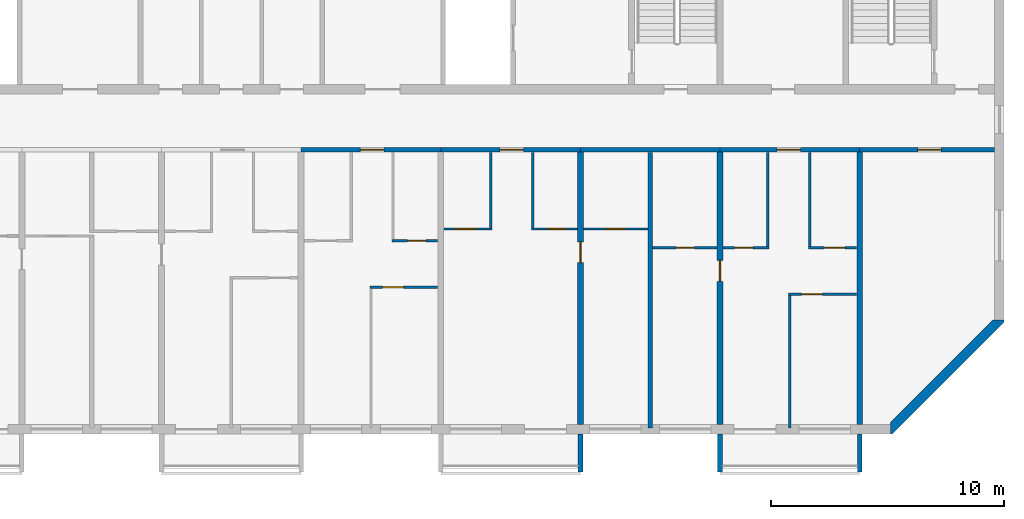
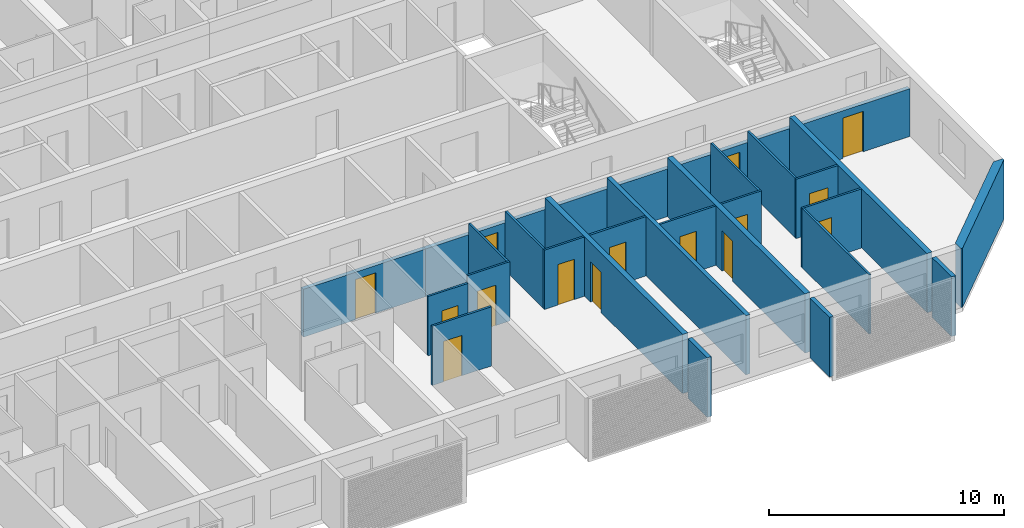
# One storey, part 5 of 27: 27 walls, 15 doors, 15 openings.
"""IFC4 building model written with IfcOpenShell, lengths in metres."""

import ifcopenshell
import ifcopenshell.guid

model = None  # the IFC model being written
_history = None  # IfcOwnerHistory: only IFC2X3 demands one
_inside = {}  # id of a spatial element -> (the spatial element, [elements in it])
_under = {}  # id of a project, library or spatial element -> (it, [spatial elements below it])
_declared = {}  # id of a project -> (the project, [libraries it declares])
_typed = {}  # id of a type object -> (the type object, [elements of that type])
_made_of = {}  # id of a material, layer set ... -> (it, [elements and type objects made of it])


def new_model(schema):
    """Start an empty IFC model of exactly this schema.

    Asked for "IFC4X3", IfcOpenShell would pick the latest addendum, in which some entities
    have other attributes; the version numbers below select the first issue.
    IFC2X3 requires an IfcOwnerHistory on every rooted entity: one is made here for all.
    """
    global model, _history
    if schema == "IFC4X3":
        model = ifcopenshell.file(schema_version=(4, 3, 0, 0))
    else:
        model = ifcopenshell.file(schema=schema)
    _inside.clear()
    _under.clear()
    _declared.clear()
    _typed.clear()
    _made_of.clear()
    _history = None
    if model.schema == "IFC2X3":
        org = make("IfcOrganization", Name="unknown")
        user = make(
            "IfcPersonAndOrganization",
            ThePerson=make("IfcPerson", FamilyName="unknown"),
            TheOrganization=org,
        )
        app = make(
            "IfcApplication",
            ApplicationDeveloper=org,
            Version="unknown",
            ApplicationFullName="unknown",
            ApplicationIdentifier="unknown",
        )
        _history = make(
            "IfcOwnerHistory",
            OwningUser=user,
            OwningApplication=app,
            ChangeAction="ADDED",
            CreationDate=0,
        )
    return model


def make(cls, **values):
    """One entity of the class cls with the attributes given. An attribute that is None is left unset."""
    return model.create_entity(
        cls, **{name: value for name, value in values.items() if value is not None}
    )


def rooted(cls, **values):
    """An entity with a GlobalId (a new one), such as an element, a storey or a relation."""
    return make(cls, GlobalId=ifcopenshell.guid.new(), OwnerHistory=_history, **values)


def si_unit(unit_type, name, prefix=None):
    """IfcSIUnit, for example si_unit("LENGTHUNIT", "METRE", prefix="MILLI")."""
    return make("IfcSIUnit", UnitType=unit_type, Prefix=prefix, Name=name)


def assignment(units):
    """IfcUnitAssignment: the units of a project."""
    return None if units is None else make("IfcUnitAssignment", Units=units)


def point(xyz):
    """IfcCartesianPoint."""
    return None if xyz is None else make("IfcCartesianPoint", Coordinates=xyz)


def direction(xyz):
    """IfcDirection."""
    return None if xyz is None else make("IfcDirection", DirectionRatios=xyz)


def frame(location, z_axis=None, x_axis=None):
    """IfcAxis2Placement3D, a coordinate frame: its origin and axes. An axis left out is left unset."""
    return make(
        "IfcAxis2Placement3D",
        Location=point(location),
        Axis=direction(z_axis),
        RefDirection=direction(x_axis),
    )


def frame_2d(location, x_axis=None):
    """IfcAxis2Placement2D, a coordinate frame in the plane: its origin and x axis."""
    return make(
        "IfcAxis2Placement2D", Location=point(location), RefDirection=direction(x_axis)
    )


def origin():
    """The frame at (0, 0, 0) with its axes left unset."""
    return frame((0.0, 0.0, 0.0))


def place(relative_to, where):
    """IfcLocalPlacement: puts the frame where relative to a parent placement (None: the world)."""
    return make(
        "IfcLocalPlacement", PlacementRelTo=relative_to, RelativePlacement=where
    )


def context(
    kind, dimensions, precision=None, world=None, true_north=None, identifier=None
):
    """IfcGeometricRepresentationContext, for example the 3D "Model" context."""
    return make(
        "IfcGeometricRepresentationContext",
        ContextIdentifier=identifier,
        ContextType=kind,
        CoordinateSpaceDimension=dimensions,
        Precision=precision,
        WorldCoordinateSystem=world,
        TrueNorth=true_north,
    )


def subcontext(parent, identifier, kind, view, scale=None):
    """IfcGeometricRepresentationSubContext, for example "Body" below "Model"."""
    return make(
        "IfcGeometricRepresentationSubContext",
        ContextIdentifier=identifier,
        ContextType=kind,
        ParentContext=parent,
        TargetScale=scale,
        TargetView=view,
    )


def project(units=None, contexts=None):
    """IfcProject with its units and contexts."""
    return rooted(
        "IfcProject",
        Name="project",
        RepresentationContexts=contexts,
        UnitsInContext=assignment(units),
    )


def spatial(cls, under=None, at=None, **own):
    """A site, building, storey or space (cls), placed at a placement, below another one or the project."""
    s = rooted(cls, ObjectPlacement=at, **own)
    if under is not None:
        _under.setdefault(under.id(), (under, []))[1].append(s)
    return s


def polyline(points):
    """IfcPolyline through the points."""
    return make("IfcPolyline", Points=[point(p) for p in points])


def profile(cls, at=None, kind="AREA", **sizes):
    """A parametric profile (cls). Its sizes go by their IFC names, for example OverallWidth=200.0."""
    return make(cls, ProfileType=kind, Position=at, **sizes)


def rectangle(**sizes):
    """IfcRectangleProfileDef."""
    return profile("IfcRectangleProfileDef", **sizes)


def outline(outer, holes=None, kind="AREA"):
    """IfcArbitraryClosedProfileDef: a profile drawn as a closed curve; with holes, ...WithVoids."""
    if holes is None:
        return make("IfcArbitraryClosedProfileDef", ProfileType=kind, OuterCurve=outer)
    return make(
        "IfcArbitraryProfileDefWithVoids",
        ProfileType=kind,
        OuterCurve=outer,
        InnerCurves=holes,
    )


def extrude(swept, where, along, depth):
    """IfcExtrudedAreaSolid: the profile swept, set in the frame where, extruded along a direction by depth."""
    return make(
        "IfcExtrudedAreaSolid",
        SweptArea=swept,
        Position=where,
        ExtrudedDirection=direction(along),
        Depth=depth,
    )


def shape(context_of_items, identifier, shape_type, items):
    """IfcShapeRepresentation: the items that make up one representation, for example the "Body"."""
    return make(
        "IfcShapeRepresentation",
        ContextOfItems=context_of_items,
        RepresentationIdentifier=identifier,
        RepresentationType=shape_type,
        Items=items,
    )


def source(mapping_origin, context_of_items, identifier, shape_type, items):
    """IfcRepresentationMap: a shape defined once, which mapped items show again and again."""
    return make(
        "IfcRepresentationMap",
        MappingOrigin=mapping_origin,
        MappedRepresentation=shape(context_of_items, identifier, shape_type, items),
    )


def transform(
    local_origin,
    x_axis=None,
    y_axis=None,
    z_axis=None,
    scale=None,
    scale2=None,
    scale3=None,
    uniform=True,
):
    """IfcCartesianTransformationOperator3D, or its non-uniform kind. x_axis, y_axis, z_axis: its Axis1, 2, 3."""
    if uniform:
        return make(
            "IfcCartesianTransformationOperator3D",
            Axis1=direction(x_axis),
            Axis2=direction(y_axis),
            LocalOrigin=point(local_origin),
            Scale=scale,
            Axis3=direction(z_axis),
        )
    return make(
        "IfcCartesianTransformationOperator3DnonUniform",
        Axis1=direction(x_axis),
        Axis2=direction(y_axis),
        LocalOrigin=point(local_origin),
        Scale=scale,
        Axis3=direction(z_axis),
        Scale2=scale2,
        Scale3=scale3,
    )


def mapped(mapping_source, mapping_target):
    """IfcMappedItem: shows the shape of a source again, moved by a transform."""
    return make(
        "IfcMappedItem", MappingSource=mapping_source, MappingTarget=mapping_target
    )


def material(Name=None, Category=None):
    """IfcMaterial."""
    return make("IfcMaterial", Name=Name, Category=Category)


def layer(
    of_material, thickness, ventilated=None, Name=None, Category=None, Priority=None
):
    """IfcMaterialLayer: one layer of a wall or slab, of a material (None: an air gap)."""
    return make(
        "IfcMaterialLayer",
        Material=of_material,
        LayerThickness=thickness,
        IsVentilated=ventilated,
        Name=Name,
        Category=Category,
        Priority=Priority,
    )


def layer_set(layers, Name=None):
    """IfcMaterialLayerSet."""
    return make("IfcMaterialLayerSet", MaterialLayers=layers, LayerSetName=Name)


def made_of(thing, what):
    """Note that an element or type object is made of a material, layer set ...; save() writes the relation."""
    if what is not None:
        _made_of.setdefault(what.id(), (what, []))[1].append(thing)
    return thing


def type_object(cls, material=None, **own):
    """A type object (cls), such as IfcWallType, which elements share."""
    return made_of(rooted(cls, **own), material)


def element(
    cls,
    number,
    at=None,
    inside=None,
    cuts=None,
    type_object=None,
    material=None,
    context=None,
    identifier="Body",
    shape_type=None,
    held_by="IfcProductDefinitionShape",
    body=None,
    shapes=None,
    **own,
):
    """One element of the class cls, such as IfcWall. Its Tag is "e" and its number.

    at: its placement. inside: the storey or other place that contains it. cuts: it is an
    opening in that element (IfcRelVoidsElement). A single representation is given by context,
    identifier, shape_type and body (its items); several are given by shapes. held_by: the class
    of the entity that holds the representations. save() writes the other relations.
    """
    e = rooted(cls, Tag="e%d" % number, ObjectPlacement=at, **own)
    if body is not None:
        shapes = [shape(context, identifier, shape_type, body)]
    if shapes is not None:
        e.Representation = make(held_by, Representations=shapes)
    if inside is not None:
        _inside.setdefault(inside.id(), (inside, []))[1].append(e)
    if cuts is not None:
        rooted(
            "IfcRelVoidsElement", RelatingBuildingElement=cuts, RelatedOpeningElement=e
        )
    if type_object is not None:
        _typed.setdefault(type_object.id(), (type_object, []))[1].append(e)
    return made_of(e, material)


def fill(opening, filler):
    """IfcRelFillsElement: the door or window that sits in an opening."""
    return rooted(
        "IfcRelFillsElement",
        RelatingOpeningElement=opening,
        RelatedBuildingElement=filler,
    )


def aggregate(whole, parts):
    """IfcRelAggregates: a whole, such as a stair, and the parts it consists of."""
    return rooted("IfcRelAggregates", RelatingObject=whole, RelatedObjects=parts)


def save(model, path):
    """Write the relations noted so far, then the file.

    IfcRelAggregates (storeys below a building ...), IfcRelContainedInSpatialStructure (elements
    in a storey), IfcRelDefinesByType, IfcRelAssociatesMaterial and IfcRelDeclares: one each for
    every whole, place, type object, material and project.
    """
    for whole, parts in _under.values():
        aggregate(whole, parts)
    for where, things in _inside.values():
        rooted(
            "IfcRelContainedInSpatialStructure",
            RelatedElements=things,
            RelatingStructure=where,
        )
    for kind, things in _typed.values():
        rooted("IfcRelDefinesByType", RelatedObjects=things, RelatingType=kind)
    for what, things in _made_of.values():
        rooted("IfcRelAssociatesMaterial", RelatedObjects=things, RelatingMaterial=what)
    for by, libraries in _declared.values():
        rooted("IfcRelDeclares", RelatingContext=by, RelatedDefinitions=libraries)
    model.write(path)


model = new_model("IFC4")

# Units and contexts
model_context = context("Model", 3, precision=1e-05, world=origin(), true_north=direction((0.0, 1.0)))
body_context = subcontext(model_context, "Body", "Model", "MODEL_VIEW")
ifc_project = project(units=[si_unit("LENGTHUNIT", "METRE"), si_unit("AREAUNIT", "SQUARE_METRE"), si_unit("VOLUMEUNIT", "CUBIC_METRE"), si_unit("PLANEANGLEUNIT", "RADIAN"), si_unit("MASSUNIT", "GRAM", prefix="KILO")], contexts=[model_context])

# Site, building, storey
site_placement = place(None, origin())
site = spatial("IfcSite", under=ifc_project, at=site_placement, CompositionType="ELEMENT")
building_placement = place(site_placement, origin())
building = spatial("IfcBuilding", under=site, at=building_placement, Name="Poui Terraces", CompositionType="ELEMENT")
storey_placement = place(building_placement, frame((0.0, 0.0, 198.300048828125)))
storey = spatial("IfcBuildingStorey", under=building, at=storey_placement, Name="L55", CompositionType="ELEMENT", Elevation=198.300048828125)

# Wall, opening, door
ifc_material_1 = material(Name="Concrete 50 MPa", Category="concrete")
ifc_layer_1 = layer(ifc_material_1, 0.199951171875)
ifc_layer_set_1 = layer_set([ifc_layer_1], Name="Concrete 50 MPa")
wall_type_1 = type_object("IfcWallType", Name="CORRIDOR WALL 200 50MPa", PredefinedType="SHEAR", material=ifc_layer_set_1)
wall_1_placement = place(storey_placement, frame((54.0, 12.0, 0.0), z_axis=(0.0, 0.0, 1.0), x_axis=(1.0, 0.0, 0.0)))
wall_1 = element("IfcWall", 1, at=wall_1_placement, inside=storey, type_object=wall_type_1, Name="CORRIDOR WALL LINE B BAY 7", PredefinedType="SHEAR", context=body_context, shape_type="SweptSolid", body=[
    extrude(rectangle(XDim=6.0, YDim=0.199951171875, at=frame_2d((3.0, 0.0))), origin(), (0.0, 0.0, 1.0), 2.47998046875),
])
opening_1_placement = place(wall_1_placement, frame((2.550048828125, 0.0, 0.0)))
opening_1 = element("IfcOpeningElement", 2, at=opening_1_placement, cuts=wall_1, Name="Opening FD30S", PredefinedType="OPENING", context=body_context, shape_type="SweptSolid", body=[
    extrude(rectangle(XDim=1.0, YDim=2.10009765625, at=frame_2d((0.5, 1.050048828125))), frame((0.0, 0.10986328125, 0.0), z_axis=(0.0, -1.0, 0.0), x_axis=(1.0, 0.0, 0.0)), (0.0, 0.0, 1.0), 0.219970703125),
])
ifc_material_2 = material(Name="Steel fire door", Category="steel")
door_type_1 = type_object("IfcDoorType", Name="FLAT ENTRANCE DOOR 1000 X 2100", OperationType="NOTDEFINED", PredefinedType="DOOR", material=ifc_material_2)
door_1_placement = place(opening_1_placement, frame((1.0, 0.0, 0.0), z_axis=(0.0, 0.0, 1.0), x_axis=(-1.0, 0.0, 0.0)))
door_1 = element("IfcDoor", 3, at=door_1_placement, inside=storey, type_object=door_type_1, Name="FLAT ENTRANCE DOOR 084", OperationType="SINGLE_SWING_LEFT", OverallHeight=2.10009765625, OverallWidth=1.0, PredefinedType="DOOR", context=body_context, shape_type="SweptSolid", body=[
    extrude(rectangle(XDim=1.0, YDim=2.10009765625, at=frame_2d((0.5, 1.050048828125))), frame((0.0, 0.02490234375, 0.0), z_axis=(0.0, -1.0, 0.0), x_axis=(1.0, 0.0, 0.0)), (0.0, 0.0, 1.0), 0.050048828125),
])
fill(opening_1, door_1)

wall_2_placement = place(storey_placement, frame((60.0, 12.0, 0.0), z_axis=(0.0, 0.0, 1.0), x_axis=(1.0, 0.0, 0.0)))
wall_2 = element("IfcWall", 4, at=wall_2_placement, inside=storey, type_object=wall_type_1, Name="CORRIDOR WALL LINE B BAY 8", PredefinedType="SHEAR", context=body_context, shape_type="SweptSolid", body=[
    extrude(rectangle(XDim=6.0, YDim=0.199951171875, at=frame_2d((3.0, 0.0))), origin(), (0.0, 0.0, 1.0), 2.47998046875),
])
opening_2_placement = place(wall_2_placement, frame((2.550048828125, 0.0, 0.0)))
opening_2 = element("IfcOpeningElement", 5, at=opening_2_placement, cuts=wall_2, Name="Opening FD30S", PredefinedType="OPENING", context=body_context, shape_type="SweptSolid", body=[
    extrude(rectangle(XDim=1.0, YDim=2.10009765625, at=frame_2d((0.5, 1.050048828125))), frame((0.0, 0.10986328125, 0.0), z_axis=(0.0, -1.0, 0.0), x_axis=(1.0, 0.0, 0.0)), (0.0, 0.0, 1.0), 0.219970703125),
])
door_2_placement = place(opening_2_placement, frame((1.0, 0.0, 0.0), z_axis=(0.0, 0.0, 1.0), x_axis=(-1.0, 0.0, 0.0)))
door_2 = element("IfcDoor", 6, at=door_2_placement, inside=storey, type_object=door_type_1, Name="FLAT ENTRANCE DOOR 089", OperationType="SINGLE_SWING_LEFT", OverallHeight=2.10009765625, OverallWidth=1.0, PredefinedType="DOOR", context=body_context, shape_type="SweptSolid", body=[
    extrude(rectangle(XDim=1.0, YDim=2.10009765625, at=frame_2d((0.5, 1.050048828125))), frame((0.0, 0.02490234375, 0.0), z_axis=(0.0, -1.0, 0.0), x_axis=(1.0, 0.0, 0.0)), (0.0, 0.0, 1.0), 0.050048828125),
])
fill(opening_2, door_2)

# Wall
wall_3_placement = place(storey_placement, frame((66.0, 12.0, 0.0), z_axis=(0.0, 0.0, 1.0), x_axis=(1.0, 0.0, 0.0)))
element("IfcWall", 7, at=wall_3_placement, inside=storey, type_object=wall_type_1, Name="CORRIDOR WALL LINE B BAY 9", PredefinedType="SHEAR", context=body_context, shape_type="SweptSolid", body=[
    extrude(rectangle(XDim=6.0, YDim=0.199951171875, at=frame_2d((3.0, 0.0))), origin(), (0.0, 0.0, 1.0), 2.47998046875),
])

# Wall, opening, door
wall_4_placement = place(storey_placement, frame((72.0, 12.0, 0.0), z_axis=(0.0, 0.0, 1.0), x_axis=(1.0, 0.0, 0.0)))
wall_4 = element("IfcWall", 8, at=wall_4_placement, inside=storey, type_object=wall_type_1, Name="CORRIDOR WALL LINE B BAY 10", PredefinedType="SHEAR", context=body_context, shape_type="SweptSolid", body=[
    extrude(rectangle(XDim=6.0, YDim=0.199951171875, at=frame_2d((3.0, 0.0))), origin(), (0.0, 0.0, 1.0), 2.47998046875),
])
opening_3_placement = place(wall_4_placement, frame((2.449951171875, 0.0, 0.0)))
opening_3 = element("IfcOpeningElement", 9, at=opening_3_placement, cuts=wall_4, Name="Opening FD30S", PredefinedType="OPENING", context=body_context, shape_type="SweptSolid", body=[
    extrude(rectangle(XDim=1.0, YDim=2.10009765625, at=frame_2d((0.5, 1.050048828125))), frame((0.0, 0.10986328125, 0.0), z_axis=(0.0, -1.0, 0.0), x_axis=(1.0, 0.0, 0.0)), (0.0, 0.0, 1.0), 0.219970703125),
])
door_3_placement = place(opening_3_placement, frame((1.0, 0.0, 0.0), z_axis=(0.0, 0.0, 1.0), x_axis=(-1.0, 0.0, 0.0)))
door_3 = element("IfcDoor", 10, at=door_3_placement, inside=storey, type_object=door_type_1, Name="FLAT ENTRANCE DOOR 095", OperationType="SINGLE_SWING_RIGHT", OverallHeight=2.10009765625, OverallWidth=1.0, PredefinedType="DOOR", context=body_context, shape_type="SweptSolid", body=[
    extrude(rectangle(XDim=1.0, YDim=2.10009765625, at=frame_2d((0.5, 1.050048828125))), frame((0.0, 0.02490234375, 0.0), z_axis=(0.0, -1.0, 0.0), x_axis=(1.0, 0.0, 0.0)), (0.0, 0.0, 1.0), 0.050048828125),
])
fill(opening_3, door_3)

wall_5_placement = place(storey_placement, frame((78.0, 12.0, 0.0), z_axis=(0.0, 0.0, 1.0), x_axis=(1.0, 0.0, 0.0)))
wall_5 = element("IfcWall", 11, at=wall_5_placement, inside=storey, type_object=wall_type_1, Name="CORRIDOR WALL LINE B BAY 11", PredefinedType="SHEAR", context=body_context, shape_type="SweptSolid", body=[
    extrude(rectangle(XDim=5.800048828125, YDim=0.199951171875, at=frame_2d((2.89990234375, 0.0))), origin(), (0.0, 0.0, 1.0), 2.47998046875),
])
opening_4_placement = place(wall_5_placement, frame((2.5, 0.0, 0.0)))
opening_4 = element("IfcOpeningElement", 12, at=opening_4_placement, cuts=wall_5, Name="Opening D100", PredefinedType="OPENING", context=body_context, shape_type="SweptSolid", body=[
    extrude(rectangle(XDim=1.0, YDim=2.10009765625, at=frame_2d((0.5, 1.050048828125))), frame((0.0, 0.10986328125, 0.0), z_axis=(0.0, -1.0, 0.0), x_axis=(1.0, 0.0, 0.0)), (0.0, 0.0, 1.0), 0.219970703125),
])
ifc_material_3 = material(Name="Solid core timber door", Category="wood")
door_type_2 = type_object("IfcDoorType", Name="ACCESSIBLE INTERNAL DOOR 1000 X 2100", OperationType="NOTDEFINED", PredefinedType="DOOR", material=ifc_material_3)
door_4_placement = place(opening_4_placement, frame((1.0, 0.0, 0.0), z_axis=(0.0, 0.0, 1.0), x_axis=(-1.0, 0.0, 0.0)))
door_4 = element("IfcDoor", 13, at=door_4_placement, inside=storey, type_object=door_type_2, Name="ACCESSIBLE INTERNAL DOOR 098", OperationType="SINGLE_SWING_RIGHT", OverallHeight=2.10009765625, OverallWidth=1.0, PredefinedType="DOOR", context=body_context, shape_type="SweptSolid", body=[
    extrude(rectangle(XDim=1.0, YDim=2.10009765625, at=frame_2d((0.5, 1.050048828125))), frame((0.0, 0.02490234375, 0.0), z_axis=(0.0, -1.0, 0.0), x_axis=(1.0, 0.0, 0.0)), (0.0, 0.0, 1.0), 0.050048828125),
])
fill(opening_4, door_4)

ifc_layer_2 = layer(ifc_material_1, 0.25)
ifc_layer_set_2 = layer_set([ifc_layer_2], Name="Concrete 50 MPa")
wall_type_2 = type_object("IfcWallType", Name="CROSS WALL 250 50MPa", PredefinedType="SHEAR", material=ifc_layer_set_2)
wall_6_placement = place(storey_placement, frame((66.0, 0.199951171875, 0.0), z_axis=(0.0, 0.0, 1.0), x_axis=(0.0, 1.0, 0.0)))
wall_6 = element("IfcWall", 14, at=wall_6_placement, inside=storey, type_object=wall_type_2, Name="CROSS WALL LINE 12 SOUTH", PredefinedType="SHEAR", context=body_context, shape_type="SweptSolid", body=[
    extrude(rectangle(XDim=11.699951171875, YDim=0.25, at=frame_2d((5.85009765625, 0.0))), origin(), (0.0, 0.0, 1.0), 3.079833984375),
])
opening_5_placement = place(wall_6_placement, frame((6.949951171875, 0.0, 0.0)))
opening_5 = element("IfcOpeningElement", 15, at=opening_5_placement, cuts=wall_6, Name="Opening D90", PredefinedType="OPENING", context=body_context, shape_type="SweptSolid", body=[
    extrude(rectangle(XDim=0.89990234375, YDim=2.10009765625, at=frame_2d((0.449951171875, 1.050048828125))), frame((0.0, 0.135009765625, 0.0), z_axis=(0.0, -1.0, 0.0), x_axis=(1.0, 0.0, 0.0)), (0.0, 0.0, 1.0), 0.27001953125),
])
door_type_3 = type_object("IfcDoorType", Name="INTERNAL DOOR 900 X 2100", OperationType="NOTDEFINED", PredefinedType="DOOR", material=ifc_material_3)
door_5_placement = place(opening_5_placement, frame((0.89990234375, 0.0, 0.0), z_axis=(0.0, 0.0, 1.0), x_axis=(-1.0, 0.0, 0.0)))
door_5 = element("IfcDoor", 16, at=door_5_placement, inside=storey, type_object=door_type_3, Name="INTERNAL DOOR 091", OperationType="SINGLE_SWING_LEFT", OverallHeight=2.10009765625, OverallWidth=0.89990234375, PredefinedType="DOOR", context=body_context, shape_type="SweptSolid", body=[
    extrude(rectangle(XDim=0.89990234375, YDim=2.10009765625, at=frame_2d((0.449951171875, 1.050048828125))), frame((0.0, 0.02490234375, 0.0), z_axis=(0.0, -1.0, 0.0), x_axis=(1.0, 0.0, 0.0)), (0.0, 0.0, 1.0), 0.050048828125),
])
fill(opening_5, door_5)

wall_7_placement = place(storey_placement, frame((72.0, 0.199951171875, 0.0), z_axis=(0.0, 0.0, 1.0), x_axis=(0.0, 1.0, 0.0)))
wall_7 = element("IfcWall", 17, at=wall_7_placement, inside=storey, type_object=wall_type_2, Name="CROSS WALL LINE 13 SOUTH", PredefinedType="SHEAR", context=body_context, shape_type="SweptSolid", body=[
    extrude(rectangle(XDim=11.699951171875, YDim=0.25, at=frame_2d((5.85009765625, 0.0))), origin(), (0.0, 0.0, 1.0), 3.079833984375),
])
opening_6_placement = place(wall_7_placement, frame((6.14990234375, 0.0, 0.0)))
opening_6 = element("IfcOpeningElement", 18, at=opening_6_placement, cuts=wall_7, Name="Opening D90", PredefinedType="OPENING", context=body_context, shape_type="SweptSolid", body=[
    extrude(rectangle(XDim=0.89990234375, YDim=2.10009765625, at=frame_2d((0.449951171875, 1.050048828125))), frame((0.0, 0.135009765625, 0.0), z_axis=(0.0, -1.0, 0.0), x_axis=(1.0, 0.0, 0.0)), (0.0, 0.0, 1.0), 0.27001953125),
])
door_6_placement = place(opening_6_placement, origin())
door_6 = element("IfcDoor", 19, at=door_6_placement, inside=storey, type_object=door_type_3, Name="INTERNAL DOOR 093", OperationType="SINGLE_SWING_RIGHT", OverallHeight=2.10009765625, OverallWidth=0.89990234375, PredefinedType="DOOR", context=body_context, shape_type="SweptSolid", body=[
    extrude(rectangle(XDim=0.89990234375, YDim=2.10009765625, at=frame_2d((0.449951171875, 1.050048828125))), frame((0.0, 0.02490234375, 0.0), z_axis=(0.0, -1.0, 0.0), x_axis=(1.0, 0.0, 0.0)), (0.0, 0.0, 1.0), 0.050048828125),
])
fill(opening_6, door_6)

# Wall
wall_8_placement = place(storey_placement, frame((78.0, 0.199951171875, 0.0), z_axis=(0.0, 0.0, 1.0), x_axis=(0.0, 1.0, 0.0)))
element("IfcWall", 20, at=wall_8_placement, inside=storey, type_object=wall_type_2, Name="CROSS WALL LINE 14 SOUTH", PredefinedType="SHEAR", context=body_context, shape_type="SweptSolid", body=[
    extrude(rectangle(XDim=11.699951171875, YDim=0.25, at=frame_2d((5.85009765625, 0.0))), origin(), (0.0, 0.0, 1.0), 3.079833984375),
])

# Wall, opening, door
ifc_material_4 = material(Name="Plasterboard partition")
ifc_layer_3 = layer(ifc_material_4, 0.10009765625)
ifc_layer_set_3 = layer_set([ifc_layer_3], Name="Plasterboard partition")
wall_type_3 = type_object("IfcWallType", Name="FLAT PARTITION 100", PredefinedType="PARTITIONING", material=ifc_layer_set_3)
wall_9_placement = place(storey_placement, frame((74.949951171875, 5.800048828125, 0.0), z_axis=(0.0, 0.0, 1.0), x_axis=(1.0, 0.0, 0.0)))
wall_9 = element("IfcWall", 21, at=wall_9_placement, inside=storey, type_object=wall_type_3, Name="FLAT PARTITION 100", PredefinedType="PARTITIONING", context=body_context, shape_type="SweptSolid", body=[
    extrude(rectangle(XDim=2.9150390625, YDim=0.10009765625, at=frame_2d((1.45751953125, 0.0))), origin(), (0.0, 0.0, 1.0), 3.079833984375),
])
opening_7_placement = place(wall_9_placement, frame((0.550048828125, 0.0, 0.0)))
opening_7 = element("IfcOpeningElement", 22, at=opening_7_placement, cuts=wall_9, Name="Opening D90", PredefinedType="OPENING", context=body_context, shape_type="SweptSolid", body=[
    extrude(rectangle(XDim=0.89990234375, YDim=2.10009765625, at=frame_2d((0.449951171875, 1.050048828125))), frame((0.0, 0.06005859375, 0.0), z_axis=(0.0, -1.0, 0.0), x_axis=(1.0, 0.0, 0.0)), (0.0, 0.0, 1.0), 0.1201171875),
])
door_7_placement = place(opening_7_placement, origin())
door_7 = element("IfcDoor", 23, at=door_7_placement, inside=storey, type_object=door_type_3, Name="INTERNAL DOOR 096", OperationType="SINGLE_SWING_RIGHT", OverallHeight=2.10009765625, OverallWidth=0.89990234375, PredefinedType="DOOR", context=body_context, shape_type="SweptSolid", body=[
    extrude(rectangle(XDim=0.89990234375, YDim=2.10009765625, at=frame_2d((0.449951171875, 1.050048828125))), frame((0.0, 0.02490234375, 0.0), z_axis=(0.0, -1.0, 0.0), x_axis=(1.0, 0.0, 0.0)), (0.0, 0.0, 1.0), 0.050048828125),
])
fill(opening_7, door_7)

wall_10_placement = place(storey_placement, frame((56.949951171875, 6.10009765625, 0.0), z_axis=(0.0, 0.0, 1.0), x_axis=(1.0, 0.0, 0.0)))
wall_10 = element("IfcWall", 24, at=wall_10_placement, inside=storey, type_object=wall_type_3, Name="FLAT PARTITION 100", PredefinedType="PARTITIONING", context=body_context, shape_type="SweptSolid", body=[
    extrude(rectangle(XDim=2.9150390625, YDim=0.10009765625, at=frame_2d((1.45751953125, 0.0))), origin(), (0.0, 0.0, 1.0), 3.079833984375),
])
opening_8_placement = place(wall_10_placement, frame((0.550048828125, 0.0, 0.0)))
opening_8 = element("IfcOpeningElement", 25, at=opening_8_placement, cuts=wall_10, Name="Opening D90", PredefinedType="OPENING", context=body_context, shape_type="SweptSolid", body=[
    extrude(rectangle(XDim=0.89990234375, YDim=2.10009765625, at=frame_2d((0.449951171875, 1.050048828125))), frame((0.0, 0.06005859375, 0.0), z_axis=(0.0, -1.0, 0.0), x_axis=(1.0, 0.0, 0.0)), (0.0, 0.0, 1.0), 0.1201171875),
])
door_8_placement = place(opening_8_placement, origin())
door_8 = element("IfcDoor", 26, at=door_8_placement, inside=storey, type_object=door_type_3, Name="INTERNAL DOOR 085", OperationType="SINGLE_SWING_RIGHT", OverallHeight=2.10009765625, OverallWidth=0.89990234375, PredefinedType="DOOR", context=body_context, shape_type="SweptSolid", body=[
    extrude(rectangle(XDim=0.89990234375, YDim=2.10009765625, at=frame_2d((0.449951171875, 1.050048828125))), frame((0.0, 0.02490234375, 0.0), z_axis=(0.0, -1.0, 0.0), x_axis=(1.0, 0.0, 0.0)), (0.0, 0.0, 1.0), 0.050048828125),
])
fill(opening_8, door_8)

wall_11_placement = place(storey_placement, frame((69.10009765625, 7.800048828125, 0.0), z_axis=(0.0, 0.0, 1.0), x_axis=(1.0, 0.0, 0.0)))
wall_11 = element("IfcWall", 27, at=wall_11_placement, inside=storey, type_object=wall_type_3, Name="FLAT PARTITION 100", PredefinedType="PARTITIONING", context=body_context, shape_type="SweptSolid", body=[
    extrude(rectangle(XDim=2.764892578125, YDim=0.10009765625, at=frame_2d((1.38232421875, 0.0))), origin(), (0.0, 0.0, 1.0), 3.079833984375),
])
opening_9_placement = place(wall_11_placement, frame((1.0, 0.0, 0.0)))
opening_9 = element("IfcOpeningElement", 28, at=opening_9_placement, cuts=wall_11, Name="Opening D80", PredefinedType="OPENING", context=body_context, shape_type="SweptSolid", body=[
    extrude(rectangle(XDim=0.800048828125, YDim=2.10009765625, at=frame_2d((0.39990234375, 1.050048828125))), frame((0.0, 0.06005859375, 0.0), z_axis=(0.0, -1.0, 0.0), x_axis=(1.0, 0.0, 0.0)), (0.0, 0.0, 1.0), 0.1201171875),
])
door_type_4 = type_object("IfcDoorType", Name="BATHROOM, LAUNDRY AND STORE DOOR 800 X 2100", OperationType="NOTDEFINED", PredefinedType="DOOR", material=ifc_material_3)
door_9_placement = place(opening_9_placement, origin())
door_9 = element("IfcDoor", 29, at=door_9_placement, inside=storey, type_object=door_type_4, Name="BATHROOM, LAUNDRY AND STORE DOOR 092", OperationType="SINGLE_SWING_RIGHT", OverallHeight=2.10009765625, OverallWidth=0.800048828125, PredefinedType="DOOR", context=body_context, shape_type="SweptSolid", body=[
    extrude(rectangle(XDim=0.800048828125, YDim=2.10009765625, at=frame_2d((0.39990234375, 1.050048828125))), frame((0.0, 0.02490234375, 0.0), z_axis=(0.0, -1.0, 0.0), x_axis=(1.0, 0.0, 0.0)), (0.0, 0.0, 1.0), 0.050048828125),
])
fill(opening_9, door_9)

wall_12_placement = place(storey_placement, frame((72.135009765625, 7.800048828125, 0.0), z_axis=(0.0, 0.0, 1.0), x_axis=(1.0, 0.0, 0.0)))
wall_12 = element("IfcWall", 30, at=wall_12_placement, inside=storey, type_object=wall_type_3, Name="FLAT PARTITION 100", PredefinedType="PARTITIONING", context=body_context, shape_type="SweptSolid", body=[
    extrude(rectangle(XDim=1.965087890625, YDim=0.10009765625, at=frame_2d((0.982421875, 0.0))), origin(), (0.0, 0.0, 1.0), 3.079833984375),
])
opening_10_placement = place(wall_12_placement, frame((0.489990234375, 0.0, 0.0)))
opening_10 = element("IfcOpeningElement", 31, at=opening_10_placement, cuts=wall_12, Name="Opening D80", PredefinedType="OPENING", context=body_context, shape_type="SweptSolid", body=[
    extrude(rectangle(XDim=0.800048828125, YDim=2.10009765625, at=frame_2d((0.39990234375, 1.050048828125))), frame((0.0, 0.06005859375, 0.0), z_axis=(0.0, -1.0, 0.0), x_axis=(1.0, 0.0, 0.0)), (0.0, 0.0, 1.0), 0.1201171875),
])
door_10_placement = place(opening_10_placement, origin())
door_10 = element("IfcDoor", 32, at=door_10_placement, inside=storey, type_object=door_type_4, Name="BATHROOM, LAUNDRY AND STORE DOOR 094", OperationType="SINGLE_SWING_RIGHT", OverallHeight=2.10009765625, OverallWidth=0.800048828125, PredefinedType="DOOR", context=body_context, shape_type="SweptSolid", body=[
    extrude(rectangle(XDim=0.800048828125, YDim=2.10009765625, at=frame_2d((0.39990234375, 1.050048828125))), frame((0.0, 0.02490234375, 0.0), z_axis=(0.0, -1.0, 0.0), x_axis=(1.0, 0.0, 0.0)), (0.0, 0.0, 1.0), 0.050048828125),
])
fill(opening_10, door_10)

wall_13_placement = place(storey_placement, frame((75.800048828125, 7.800048828125, 0.0), z_axis=(0.0, 0.0, 1.0), x_axis=(1.0, 0.0, 0.0)))
wall_13 = element("IfcWall", 33, at=wall_13_placement, inside=storey, type_object=wall_type_3, Name="FLAT PARTITION 100", PredefinedType="PARTITIONING", context=body_context, shape_type="SweptSolid", body=[
    extrude(rectangle(XDim=2.06494140625, YDim=0.10009765625, at=frame_2d((1.032470703125, 0.0))), origin(), (0.0, 0.0, 1.0), 3.079833984375),
])
opening_11_placement = place(wall_13_placement, frame((0.675048828125, 0.0, 0.0)))
opening_11 = element("IfcOpeningElement", 34, at=opening_11_placement, cuts=wall_13, Name="Opening D90", PredefinedType="OPENING", context=body_context, shape_type="SweptSolid", body=[
    extrude(rectangle(XDim=0.89990234375, YDim=2.10009765625, at=frame_2d((0.449951171875, 1.050048828125))), frame((0.0, 0.06005859375, 0.0), z_axis=(0.0, -1.0, 0.0), x_axis=(1.0, 0.0, 0.0)), (0.0, 0.0, 1.0), 0.1201171875),
])
door_11_placement = place(opening_11_placement, origin())
door_11 = element("IfcDoor", 35, at=door_11_placement, inside=storey, type_object=door_type_3, Name="INTERNAL DOOR 097", OperationType="SINGLE_SWING_LEFT", OverallHeight=2.10009765625, OverallWidth=0.89990234375, PredefinedType="DOOR", context=body_context, shape_type="SweptSolid", body=[
    extrude(rectangle(XDim=0.89990234375, YDim=2.10009765625, at=frame_2d((0.449951171875, 1.050048828125))), frame((0.0, 0.02490234375, 0.0), z_axis=(0.0, -1.0, 0.0), x_axis=(1.0, 0.0, 0.0)), (0.0, 0.0, 1.0), 0.050048828125),
])
fill(opening_11, door_11)

wall_14_placement = place(storey_placement, frame((57.89990234375, 8.10009765625, 0.0), z_axis=(0.0, 0.0, 1.0), x_axis=(1.0, 0.0, 0.0)))
wall_14 = element("IfcWall", 36, at=wall_14_placement, inside=storey, type_object=wall_type_3, Name="FLAT PARTITION 100", PredefinedType="PARTITIONING", context=body_context, shape_type="SweptSolid", body=[
    extrude(rectangle(XDim=1.965087890625, YDim=0.10009765625, at=frame_2d((0.982421875, 0.0))), origin(), (0.0, 0.0, 1.0), 3.079833984375),
])
opening_12_placement = place(wall_14_placement, frame((0.675048828125, 0.0, 0.0)))
opening_12 = element("IfcOpeningElement", 37, at=opening_12_placement, cuts=wall_14, Name="Opening D80", PredefinedType="OPENING", context=body_context, shape_type="SweptSolid", body=[
    extrude(rectangle(XDim=0.800048828125, YDim=2.10009765625, at=frame_2d((0.39990234375, 1.050048828125))), frame((0.0, 0.06005859375, 0.0), z_axis=(0.0, -1.0, 0.0), x_axis=(1.0, 0.0, 0.0)), (0.0, 0.0, 1.0), 0.1201171875),
])
door_12_placement = place(opening_12_placement, origin())
door_12 = element("IfcDoor", 38, at=door_12_placement, inside=storey, type_object=door_type_4, Name="BATHROOM, LAUNDRY AND STORE DOOR 086", OperationType="SINGLE_SWING_LEFT", OverallHeight=2.10009765625, OverallWidth=0.800048828125, PredefinedType="DOOR", context=body_context, shape_type="SweptSolid", body=[
    extrude(rectangle(XDim=0.800048828125, YDim=2.10009765625, at=frame_2d((0.39990234375, 1.050048828125))), frame((0.0, 0.02490234375, 0.0), z_axis=(0.0, -1.0, 0.0), x_axis=(1.0, 0.0, 0.0)), (0.0, 0.0, 1.0), 0.050048828125),
])
fill(opening_12, door_12)

wall_15_placement = place(storey_placement, frame((60.135009765625, 8.60009765625, 0.0), z_axis=(0.0, 0.0, 1.0), x_axis=(1.0, 0.0, 0.0)))
wall_15 = element("IfcWall", 39, at=wall_15_placement, inside=storey, type_object=wall_type_3, Name="FLAT PARTITION 100", PredefinedType="PARTITIONING", context=body_context, shape_type="SweptSolid", body=[
    extrude(rectangle(XDim=2.06494140625, YDim=0.10009765625, at=frame_2d((1.032470703125, 0.0))), origin(), (0.0, 0.0, 1.0), 3.079833984375),
])
opening_13_placement = place(wall_15_placement, frame((0.489990234375, 0.0, 0.0)))
opening_13 = element("IfcOpeningElement", 40, at=opening_13_placement, cuts=wall_15, Name="Opening D90", PredefinedType="OPENING", context=body_context, shape_type="SweptSolid", body=[
    extrude(rectangle(XDim=0.89990234375, YDim=2.10009765625, at=frame_2d((0.449951171875, 1.050048828125))), frame((0.0, 0.06005859375, 0.0), z_axis=(0.0, -1.0, 0.0), x_axis=(1.0, 0.0, 0.0)), (0.0, 0.0, 1.0), 0.1201171875),
])
door_13_placement = place(opening_13_placement, origin())
door_13 = element("IfcDoor", 41, at=door_13_placement, inside=storey, type_object=door_type_3, Name="INTERNAL DOOR 088", OperationType="SINGLE_SWING_RIGHT", OverallHeight=2.10009765625, OverallWidth=0.89990234375, PredefinedType="DOOR", context=body_context, shape_type="SweptSolid", body=[
    extrude(rectangle(XDim=0.89990234375, YDim=2.10009765625, at=frame_2d((0.449951171875, 1.050048828125))), frame((0.0, 0.02490234375, 0.0), z_axis=(0.0, -1.0, 0.0), x_axis=(1.0, 0.0, 0.0)), (0.0, 0.0, 1.0), 0.050048828125),
])
fill(opening_13, door_13)

wall_16_placement = place(storey_placement, frame((63.89990234375, 8.60009765625, 0.0), z_axis=(0.0, 0.0, 1.0), x_axis=(1.0, 0.0, 0.0)))
wall_16 = element("IfcWall", 42, at=wall_16_placement, inside=storey, type_object=wall_type_3, Name="FLAT PARTITION 100", PredefinedType="PARTITIONING", context=body_context, shape_type="SweptSolid", body=[
    extrude(rectangle(XDim=1.965087890625, YDim=0.10009765625, at=frame_2d((0.982421875, 0.0))), origin(), (0.0, 0.0, 1.0), 3.079833984375),
])
opening_14_placement = place(wall_16_placement, frame((0.675048828125, 0.0, 0.0)))
opening_14 = element("IfcOpeningElement", 43, at=opening_14_placement, cuts=wall_16, Name="Opening D80", PredefinedType="OPENING", context=body_context, shape_type="SweptSolid", body=[
    extrude(rectangle(XDim=0.800048828125, YDim=2.10009765625, at=frame_2d((0.39990234375, 1.050048828125))), frame((0.0, 0.06005859375, 0.0), z_axis=(0.0, -1.0, 0.0), x_axis=(1.0, 0.0, 0.0)), (0.0, 0.0, 1.0), 0.1201171875),
])
door_14_placement = place(opening_14_placement, origin())
door_14 = element("IfcDoor", 44, at=door_14_placement, inside=storey, type_object=door_type_4, Name="BATHROOM, LAUNDRY AND STORE DOOR 090", OperationType="SINGLE_SWING_LEFT", OverallHeight=2.10009765625, OverallWidth=0.800048828125, PredefinedType="DOOR", context=body_context, shape_type="SweptSolid", body=[
    extrude(rectangle(XDim=0.800048828125, YDim=2.10009765625, at=frame_2d((0.39990234375, 1.050048828125))), frame((0.0, 0.02490234375, 0.0), z_axis=(0.0, -1.0, 0.0), x_axis=(1.0, 0.0, 0.0)), (0.0, 0.0, 1.0), 0.050048828125),
])
fill(opening_14, door_14)

wall_17_placement = place(storey_placement, frame((66.135009765625, 8.60009765625, 0.0), z_axis=(0.0, 0.0, 1.0), x_axis=(1.0, 0.0, 0.0)))
wall_17 = element("IfcWall", 45, at=wall_17_placement, inside=storey, type_object=wall_type_3, Name="FLAT PARTITION 100", PredefinedType="PARTITIONING", context=body_context, shape_type="SweptSolid", body=[
    extrude(rectangle(XDim=2.764892578125, YDim=0.10009765625, at=frame_2d((1.38232421875, 0.0))), origin(), (0.0, 0.0, 1.0), 3.079833984375),
])
opening_15_placement = place(wall_17_placement, frame((0.965087890625, 0.0, 0.0)))
opening_15 = element("IfcOpeningElement", 46, at=opening_15_placement, cuts=wall_17, Name="Opening D80", PredefinedType="OPENING", context=body_context, shape_type="SweptSolid", body=[
    extrude(rectangle(XDim=0.800048828125, YDim=2.10009765625, at=frame_2d((0.39990234375, 1.050048828125))), frame((0.0, 0.06005859375, 0.0), z_axis=(0.0, -1.0, 0.0), x_axis=(1.0, 0.0, 0.0)), (0.0, 0.0, 1.0), 0.1201171875),
])
door_15_placement = place(opening_15_placement, origin())
door_15 = element("IfcDoor", 47, at=door_15_placement, inside=storey, type_object=door_type_4, Name="BATHROOM, LAUNDRY AND STORE DOOR 087", OperationType="SINGLE_SWING_LEFT", OverallHeight=2.10009765625, OverallWidth=0.800048828125, PredefinedType="DOOR", context=body_context, shape_type="SweptSolid", body=[
    extrude(rectangle(XDim=0.800048828125, YDim=2.10009765625, at=frame_2d((0.39990234375, 1.050048828125))), frame((0.0, 0.02490234375, 0.0), z_axis=(0.0, -1.0, 0.0), x_axis=(1.0, 0.0, 0.0)), (0.0, 0.0, 1.0), 0.050048828125),
])
fill(opening_15, door_15)

# Walls
for number, where, z_axis, x_axis, name in (
    (48, (62.14990234375, 8.64990234375, 0.0), (0.0, 0.0, 1.0), (0.0, 1.0, 0.0), "FLAT PARTITION 100"),
    (49, (63.949951171875, 8.64990234375, 0.0), (0.0, 0.0, 1.0), (0.0, 1.0, 0.0), "FLAT PARTITION 100"),
):
    element("IfcWall", number, at=place(storey_placement, frame(where, z_axis=z_axis, x_axis=x_axis)), inside=storey, type_object=wall_type_3, Name=name, PredefinedType="PARTITIONING", context=body_context, shape_type="SweptSolid", body=[
        extrude(rectangle(XDim=3.239990234375, YDim=0.10009765625, at=frame_2d((1.6201171875, 0.0))), origin(), (0.0, 0.0, 1.0), 3.079833984375),
    ])
wall_18_placement = place(storey_placement, frame((74.050048828125, 7.85009765625, 0.0), z_axis=(0.0, 0.0, 1.0), x_axis=(0.0, 1.0, 0.0)))
element("IfcWall", 50, at=wall_18_placement, inside=storey, type_object=wall_type_3, Name="FLAT PARTITION 100", PredefinedType="PARTITIONING", context=body_context, shape_type="SweptSolid", body=[
    extrude(rectangle(XDim=4.039794921875, YDim=0.10009765625, at=frame_2d((2.02001953125, 0.0))), origin(), (0.0, 0.0, 1.0), 3.079833984375),
])
wall_19_placement = place(storey_placement, frame((75.0, 0.06005859375, 0.0), z_axis=(0.0, 0.0, 1.0), x_axis=(0.0, 1.0, 0.0)))
element("IfcWall", 51, at=wall_19_placement, inside=storey, type_object=wall_type_3, Name="FLAT PARTITION 100", PredefinedType="PARTITIONING", context=body_context, shape_type="SweptSolid", body=[
    extrude(rectangle(XDim=5.68994140625, YDim=0.10009765625, at=frame_2d((2.844970703125, 0.0))), origin(), (0.0, 0.0, 1.0), 3.079833984375),
])
wall_20_placement = place(storey_placement, frame((75.85009765625, 7.85009765625, 0.0), z_axis=(0.0, 0.0, 1.0), x_axis=(0.0, 1.0, 0.0)))
element("IfcWall", 52, at=wall_20_placement, inside=storey, type_object=wall_type_3, Name="FLAT PARTITION 100", PredefinedType="PARTITIONING", context=body_context, shape_type="SweptSolid", body=[
    extrude(rectangle(XDim=4.039794921875, YDim=0.10009765625, at=frame_2d((2.02001953125, 0.0))), origin(), (0.0, 0.0, 1.0), 3.079833984375),
])
ifc_material_5 = material(Name="Fire-rated masonry wall", Category="masonry")
ifc_layer_4 = layer(ifc_material_5, 0.199951171875)
ifc_layer_set_4 = layer_set([ifc_layer_4], Name="Fire-rated masonry wall")
wall_type_4 = type_object("IfcWallType", Name="FLAT PARTY WALL 200", PredefinedType="PARTITIONING", material=ifc_layer_set_4)
wall_21_placement = place(storey_placement, frame((69.0, 0.06005859375, 0.0), z_axis=(0.0, 0.0, 1.0), x_axis=(0.0, 1.0, 0.0)))
element("IfcWall", 53, at=wall_21_placement, inside=storey, type_object=wall_type_4, Name="FLAT PARTY WALL 200", PredefinedType="PARTITIONING", context=body_context, shape_type="SweptSolid", body=[
    extrude(rectangle(XDim=11.829833984375, YDim=0.199951171875, at=frame_2d((5.9150390625, 0.0))), origin(), (0.0, 0.0, 1.0), 3.079833984375),
])
ifc_material_6 = material(Name="Precast concrete 40 MPa", Category="concrete")
ifc_layer_5 = layer(ifc_material_6, 0.39990234375)
ifc_layer_set_5 = layer_set([ifc_layer_5], Name="Precast concrete 40 MPa")
wall_type_5 = type_object("IfcWallType", Name="TERRACOTTA CLAD CHAMFER WALL 400", PredefinedType="STANDARD", material=ifc_layer_set_5)
wall_22_placement = place(storey_placement, origin())
element("IfcWall", 54, at=wall_22_placement, inside=storey, type_object=wall_type_5, Name="CHAMFER WALL CH01", PredefinedType="STANDARD", context=body_context, shape_type="SweptSolid", body=[
    extrude(outline(polyline([(79.317138671875, -0.199951171875), (79.39990234375, -0.199951171875), (84.199951171875, 4.60009765625), (84.199951171875, 4.682861328125), (83.71728515625, 4.682861328125), (79.317138671875, 0.28271484375), (79.317138671875, -0.199951171875)])), origin(), (0.0, 0.0, 1.0), 3.079833984375),
])
ifc_layer_6 = layer(ifc_material_6, 0.199951171875)
ifc_layer_set_6 = layer_set([ifc_layer_6], Name="Precast concrete 40 MPa")
wall_type_6 = type_object("IfcWallType", Name="REAR FIN 200", PredefinedType="STANDARD", material=ifc_layer_set_6)
shared_shape = source(origin(), body_context, "Body", "SweptSolid", [
    extrude(outline(polyline([(0.0, 0.0), (0.2001953125, 0.0), (0.2001953125, 1.650146484375), (0.0, 1.650146484375), (0.0, 0.0)])), origin(), (0.0, 0.0, 1.0), 3.099853515625),
])
for number, where, name in (
    (55, (65.89990234375, -1.85009765625, 0.0), "REAR FIN"),
    (56, (71.89990234375, -1.85009765625, 0.0), "REAR FIN"),
    (57, (77.89990234375, -1.85009765625, 0.0), "REAR FIN"),
):
    element("IfcWall", number, at=place(storey_placement, frame(where)), inside=storey, type_object=wall_type_6, Name=name, PredefinedType="STANDARD", context=body_context, shape_type="MappedRepresentation", body=[
        mapped(shared_shape, transform((0.0, 0.0, 0.0))),
    ])

save(model, "model.ifc")
